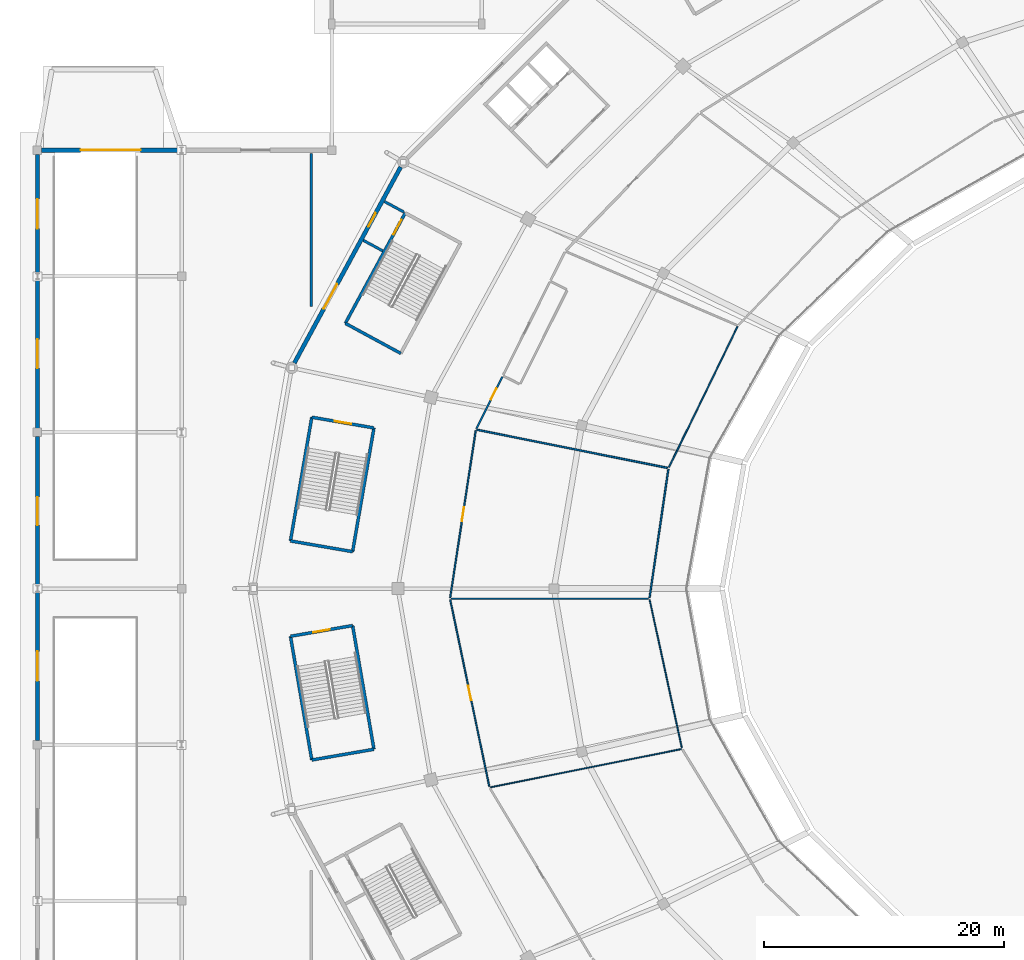
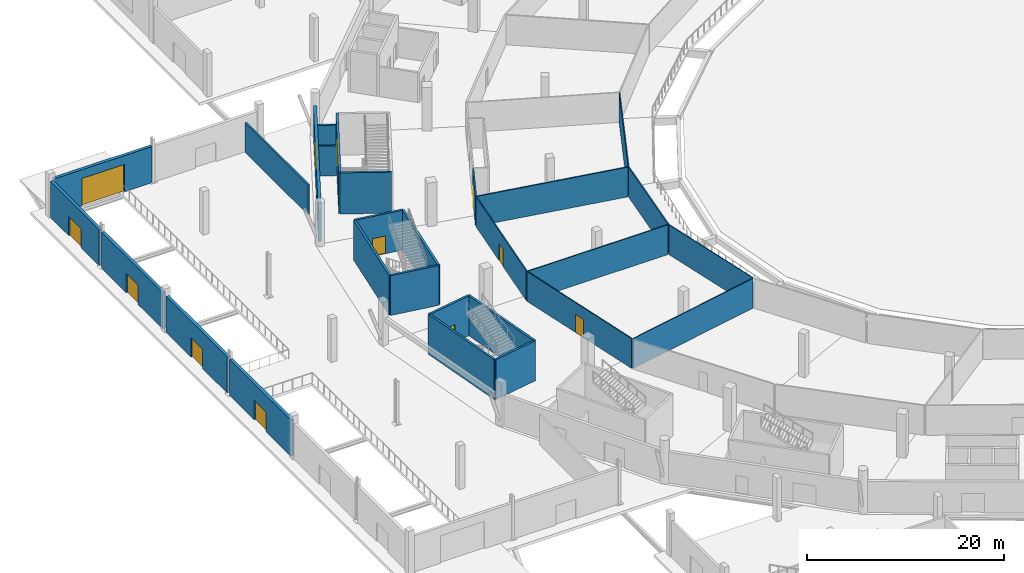
# One storey, part 40 of 82: 28 walls, 13 doors, 13 openings.
"""IFC4 building model written with IfcOpenShell, lengths in metres."""

from ifc_helpers import new_model, si_unit, direction, frame, frame_2d, origin, place, context, subcontext, project, spatial, rectangle, extrude, material, layer, layer_set, type_object, element, fill, save


model = new_model("IFC4")

# Units and contexts
model_context = context("Model", 3, precision=1e-05, world=origin(), true_north=direction((0.0, 1.0)))
body_context = subcontext(model_context, "Body", "Model", "MODEL_VIEW")
ifc_project = project(units=[si_unit("LENGTHUNIT", "METRE"), si_unit("AREAUNIT", "SQUARE_METRE"), si_unit("VOLUMEUNIT", "CUBIC_METRE"), si_unit("PLANEANGLEUNIT", "RADIAN"), si_unit("MASSUNIT", "GRAM", prefix="KILO")], contexts=[model_context])

# Site, building, storey
site_placement = place(None, origin())
site = spatial("IfcSite", under=ifc_project, at=site_placement, CompositionType="ELEMENT")
building_placement = place(site_placement, origin())
building = spatial("IfcBuilding", under=site, at=building_placement, Name="Zlatoyarsky Gate Stadium", CompositionType="ELEMENT")
storey_placement = place(building_placement, origin())
storey = spatial("IfcBuildingStorey", under=building, at=storey_placement, Name="L00", CompositionType="ELEMENT", Elevation=0.0)

# Wall, opening, door
ifc_material_1 = material(Name="Anodised aluminium acoustic operable wall", Category="aluminium")
ifc_layer_1 = layer(ifc_material_1, 0.114990234375)
ifc_layer_set_1 = layer_set([ifc_layer_1], Name="Anodised aluminium acoustic operable wall")
wall_type_1 = type_object("IfcWallType", Name="ACOUSTIC OPERABLE SUITE WALL 115", PredefinedType="MOVABLE", material=ifc_layer_set_1)
wall_1_placement = place(storey_placement, frame((34.36279296875, 79.079345703125, 0.0), z_axis=(0.0, 0.0, 1.0), x_axis=(0.204702237008, -0.978824291772, 0.0)))
wall_1 = element("IfcWall", 1, at=wall_1_placement, inside=storey, type_object=wall_type_1, Name="L00 interior partition PRT-L00-ICC-12", PredefinedType="MOVABLE", context=body_context, shape_type="SweptSolid", body=[
    extrude(rectangle(XDim=15.887451171875, YDim=0.114990234375, at=frame_2d((7.94384765625, 0.0))), origin(), (0.0, 0.0, 1.0), 3.68994140625),
])
opening_1_placement = place(wall_1_placement, frame((7.32373046875, 0.0, 0.0)))
opening_1 = element("IfcOpeningElement", 2, at=opening_1_placement, cuts=wall_1, Name="Opening D-L00-148", PredefinedType="OPENING", context=body_context, shape_type="SweptSolid", body=[
    extrude(rectangle(XDim=1.239990234375, YDim=2.239990234375, at=frame_2d((0.6201171875, 1.1201171875))), frame((0.0, 0.0673828125, 0.0), z_axis=(0.0, -1.0, 0.0), x_axis=(1.0, 0.0, 0.0)), (0.0, 0.0, 1.0), 0.135009765625),
])
ifc_material_2 = material(Name="Solid-core oak veneer acoustic door", Category="wood")
door_type_1 = type_object("IfcDoorType", Name="ACOUSTIC INTERIOR DOOR 1240X2240", OperationType="NOTDEFINED", PredefinedType="DOOR", material=ifc_material_2)
door_1_placement = place(opening_1_placement, origin())
door_1 = element("IfcDoor", 3, at=door_1_placement, inside=storey, type_object=door_type_1, Name="L00 room door D-L00-148", OperationType="SINGLE_SWING_LEFT", OverallHeight=2.239990234375, OverallWidth=1.239990234375, PredefinedType="DOOR", context=body_context, shape_type="SweptSolid", body=[
    extrude(rectangle(XDim=1.239990234375, YDim=2.239990234375, at=frame_2d((0.6201171875, 1.1201171875))), frame((0.0, 0.02490234375, 0.0), z_axis=(0.0, -1.0, 0.0), x_axis=(1.0, 0.0, 0.0)), (0.0, 0.0, 1.0), 0.050048828125),
])
fill(opening_1, door_1)

# Walls
ifc_material_3 = material(Name="Moisture-resistant masonry partition", Category="masonry")
ifc_layer_2 = layer(ifc_material_3, 0.139892578125)
ifc_layer_set_2 = layer_set([ifc_layer_2], Name="Moisture-resistant masonry partition")
wall_type_2 = type_object("IfcWallType", Name="ATHLETE CHANGING BLOCK PARTITION 140", PredefinedType="PARTITIONING", material=ifc_layer_set_2)
wall_2_placement = place(storey_placement, frame((52.452392578125, 90.047607421875, 0.0), z_axis=(0.0, 0.0, 1.0), x_axis=(-0.980551073479, 0.196264088155, 0.0)))
element("IfcWall", 4, at=wall_2_placement, inside=storey, type_object=wall_type_2, Name="L00 interior partition PRT-L00-IRD-11", PredefinedType="PARTITIONING", context=body_context, shape_type="SweptSolid", body=[
    extrude(rectangle(XDim=16.18359375, YDim=0.139892578125, at=frame_2d((8.091796875, 0.0))), origin(), (0.0, 0.0, 1.0), 3.68994140625),
])
ifc_material_4 = material(Name="Gypsum-clad mineral wool fire partition", Category="gypsum")
ifc_layer_3 = layer(ifc_material_4, 0.199951171875)
ifc_layer_set_3 = layer_set([ifc_layer_3], Name="Gypsum-clad mineral wool fire partition")
wall_type_3 = type_object("IfcWallType", Name="COMPARTMENT FIRE PARTITION WALL 200", PredefinedType="PARTITIONING", material=ifc_layer_set_3)
wall_3_placement = place(storey_placement, frame((22.800048828125, 103.485107421875, 0.0), z_axis=(0.0, 0.0, 1.0), x_axis=(0.0, 1.0, 0.0)))
element("IfcWall", 5, at=wall_3_placement, inside=storey, type_object=wall_type_3, Name="L00 interior partition PRT-L00-ALC-NW-X", PredefinedType="PARTITIONING", context=body_context, shape_type="SweptSolid", body=[
    extrude(rectangle(XDim=12.75, YDim=0.199951171875, at=frame_2d((6.375, 0.0))), origin(), (0.0, 0.0, 1.0), 3.68994140625),
])

# Wall, opening, door
ifc_material_5 = material(Name="Metal-stud gypsum partition", Category="gypsum")
ifc_layer_4 = layer(ifc_material_5, 0.14990234375)
ifc_layer_set_4 = layer_set([ifc_layer_4], Name="Metal-stud gypsum partition")
wall_type_4 = type_object("IfcWallType", Name="CONCOURSE CORRIDOR PARTITION 150", PredefinedType="PARTITIONING", material=ifc_layer_set_4)
wall_4_placement = place(storey_placement, frame((38.705078125, 97.64306640625, 0.0), z_axis=(0.0, 0.0, 1.0), x_axis=(-0.447798791691, -0.894134353528, 0.0)))
wall_4 = element("IfcWall", 6, at=wall_4_placement, inside=storey, type_object=wall_type_4, Name="L00 interior partition PRT-L00-ICC-10", PredefinedType="PARTITIONING", context=body_context, shape_type="SweptSolid", body=[
    extrude(rectangle(XDim=4.838623046875, YDim=0.14990234375, at=frame_2d((2.41943359375, 0.0))), origin(), (0.0, 0.0, 1.0), 3.68994140625),
])
opening_2_placement = place(wall_4_placement, frame((1.10009765625, 0.0, 0.0)))
opening_2 = element("IfcOpeningElement", 7, at=opening_2_placement, cuts=wall_4, Name="Opening D-L00-142", PredefinedType="OPENING", context=body_context, shape_type="SweptSolid", body=[
    extrude(rectangle(XDim=1.02001953125, YDim=2.239990234375, at=frame_2d((0.510009765625, 1.1201171875))), frame((0.0, 0.0849609375, 0.0), z_axis=(0.0, -1.0, 0.0), x_axis=(1.0, 0.0, 0.0)), (0.0, 0.0, 1.0), 0.169921875),
])
ifc_material_6 = material(Name="Powder-coated steel fire door", Category="steel")
door_type_2 = type_object("IfcDoorType", Name="ACOUSTIC INTERIOR DOOR 1020X2240", OperationType="NOTDEFINED", PredefinedType="DOOR", material=ifc_material_6)
door_2_placement = place(opening_2_placement, origin())
door_2 = element("IfcDoor", 8, at=door_2_placement, inside=storey, type_object=door_type_2, Name="L00 room door D-L00-142", OperationType="SINGLE_SWING_LEFT", OverallHeight=2.239990234375, OverallWidth=1.02001953125, PredefinedType="DOOR", context=body_context, shape_type="SweptSolid", body=[
    extrude(rectangle(XDim=1.02001953125, YDim=2.239990234375, at=frame_2d((0.510009765625, 1.1201171875))), frame((0.0, 0.02490234375, 0.0), z_axis=(0.0, -1.0, 0.0), x_axis=(1.0, 0.0, 0.0)), (0.0, 0.0, 1.0), 0.050048828125),
])
fill(opening_2, door_2)

ifc_material_7 = material(Name="Concrete C40/50", Category="concrete")
ifc_layer_5 = layer(ifc_material_7, 0.25)
ifc_layer_set_5 = layer_set([ifc_layer_5], Name="Concrete C40/50")
wall_type_5 = type_object("IfcWallType", Name="CONCRETE STAIR CORE SHEAR WALL 250", PredefinedType="SHEAR", material=ifc_layer_set_5)
wall_5_placement = place(storey_placement, frame((30.615234375, 111.268798828125, 0.0), z_axis=(0.0, 0.0, 1.0), x_axis=(-0.476876856974, -0.878970115125, 0.0)))
wall_5 = element("IfcWall", 9, at=wall_5_placement, inside=storey, type_object=wall_type_5, Name="ST-06 L00 stair core left shear wall", PredefinedType="SHEAR", context=body_context, shape_type="SweptSolid", body=[
    extrude(rectangle(XDim=10.4501953125, YDim=0.25, at=frame_2d((5.22509765625, 0.0))), origin(), (0.0, 0.0, 1.0), 5.10009765625),
])
opening_3_placement = place(wall_5_placement, frame((0.64990234375, 0.0, 0.0)))
opening_3 = element("IfcOpeningElement", 10, at=opening_3_placement, cuts=wall_5, Name="Opening SD-ST-06-L00", PredefinedType="OPENING", context=body_context, shape_type="SweptSolid", body=[
    extrude(rectangle(XDim=1.39990234375, YDim=2.199951171875, at=frame_2d((0.699951171875, 1.10009765625))), frame((0.0, 0.135009765625, 0.0), z_axis=(0.0, -1.0, 0.0), x_axis=(1.0, 0.0, 0.0)), (0.0, 0.0, 1.0), 0.27001953125),
])
door_type_3 = type_object("IfcDoorType", Name="STAIR CORE FIRE EXIT DOOR 1400X2200", OperationType="NOTDEFINED", PredefinedType="DOOR", material=ifc_material_6)
door_3_placement = place(opening_3_placement, frame((1.39990234375, 0.0, 0.0), z_axis=(0.0, 0.0, 1.0), x_axis=(-1.0, 0.0, 0.0)))
door_3 = element("IfcDoor", 11, at=door_3_placement, inside=storey, type_object=door_type_3, Name="ST-06 L00 protected exit discharge fire door", OperationType="SINGLE_SWING_LEFT", OverallHeight=2.199951171875, OverallWidth=1.39990234375, PredefinedType="DOOR", context=body_context, shape_type="SweptSolid", body=[
    extrude(rectangle(XDim=1.39990234375, YDim=2.199951171875, at=frame_2d((0.699951171875, 1.10009765625))), frame((0.0, 0.02490234375, 0.0), z_axis=(0.0, -1.0, 0.0), x_axis=(1.0, 0.0, 0.0)), (0.0, 0.0, 1.0), 0.050048828125),
])
fill(opening_3, door_3)

# Wall
wall_6_placement = place(storey_placement, frame((25.6318359375, 102.08349609375, 0.0), z_axis=(0.0, 0.0, 1.0), x_axis=(0.878961487093, -0.47689275965, 0.0)))
element("IfcWall", 12, at=wall_6_placement, inside=storey, type_object=wall_type_5, Name="ST-06 L00 stair core far shear wall", PredefinedType="SHEAR", context=body_context, shape_type="SweptSolid", body=[
    extrude(rectangle(XDim=5.25, YDim=0.25, at=frame_2d((2.625, 0.0))), origin(), (0.0, 0.0, 1.0), 5.10009765625),
])

# Wall, opening, door
wall_7_placement = place(storey_placement, frame((26.237548828125, 76.92333984375, 0.0), z_axis=(0.0, 0.0, 1.0), x_axis=(-0.985457162135, -0.16992404655, 0.0)))
wall_7 = element("IfcWall", 13, at=wall_7_placement, inside=storey, type_object=wall_type_5, Name="ST-07 L00 stair core entrance shear wall", PredefinedType="SHEAR", context=body_context, shape_type="SweptSolid", body=[
    extrude(rectangle(XDim=5.25, YDim=0.25, at=frame_2d((2.625, 0.0))), origin(), (0.0, 0.0, 1.0), 4.93994140625),
])
opening_4_placement = place(wall_7_placement, frame((1.925048828125, 0.0, 0.0)))
opening_4 = element("IfcOpeningElement", 14, at=opening_4_placement, cuts=wall_7, Name="Opening SD-ST-07-L00", PredefinedType="OPENING", context=body_context, shape_type="SweptSolid", body=[
    extrude(rectangle(XDim=1.39990234375, YDim=2.199951171875, at=frame_2d((0.699951171875, 1.10009765625))), frame((0.0, 0.135009765625, 0.0), z_axis=(0.0, -1.0, 0.0), x_axis=(1.0, 0.0, 0.0)), (0.0, 0.0, 1.0), 0.27001953125),
])
door_4_placement = place(opening_4_placement, frame((1.39990234375, 0.0, 0.0), z_axis=(0.0, 0.0, 1.0), x_axis=(-1.0, 0.0, 0.0)))
door_4 = element("IfcDoor", 15, at=door_4_placement, inside=storey, type_object=door_type_3, Name="ST-07 L00 stair fire door", OperationType="SINGLE_SWING_RIGHT", OverallHeight=2.199951171875, OverallWidth=1.39990234375, PredefinedType="DOOR", context=body_context, shape_type="SweptSolid", body=[
    extrude(rectangle(XDim=1.39990234375, YDim=2.199951171875, at=frame_2d((0.699951171875, 1.10009765625))), frame((0.0, 0.02490234375, 0.0), z_axis=(0.0, -1.0, 0.0), x_axis=(1.0, 0.0, 0.0)), (0.0, 0.0, 1.0), 0.050048828125),
])
fill(opening_4, door_4)

# Walls
wall_8_placement = place(storey_placement, frame((21.06396484375, 76.03125, 0.0), z_axis=(0.0, 0.0, 1.0), x_axis=(0.169938992676, -0.985454584833, 0.0)))
element("IfcWall", 16, at=wall_8_placement, inside=storey, type_object=wall_type_5, Name="ST-07 L00 stair core left shear wall", PredefinedType="SHEAR", context=body_context, shape_type="SweptSolid", body=[
    extrude(rectangle(XDim=10.4501953125, YDim=0.25, at=frame_2d((5.22509765625, 0.0))), origin(), (0.0, 0.0, 1.0), 4.93994140625),
])
wall_9_placement = place(storey_placement, frame((22.83984375, 65.733154296875, 0.0), z_axis=(0.0, 0.0, 1.0), x_axis=(0.985457162135, 0.16992404655, 0.0)))
element("IfcWall", 17, at=wall_9_placement, inside=storey, type_object=wall_type_5, Name="ST-07 L00 stair core far shear wall", PredefinedType="SHEAR", context=body_context, shape_type="SweptSolid", body=[
    extrude(rectangle(XDim=5.25, YDim=0.25, at=frame_2d((2.625, 0.0))), origin(), (0.0, 0.0, 1.0), 4.93994140625),
])
wall_10_placement = place(storey_placement, frame((28.013427734375, 66.625244140625, 0.0), z_axis=(0.0, 0.0, 1.0), x_axis=(-0.169938992676, 0.985454584833, 0.0)))
element("IfcWall", 18, at=wall_10_placement, inside=storey, type_object=wall_type_5, Name="ST-07 L00 stair core right shear wall", PredefinedType="SHEAR", context=body_context, shape_type="SweptSolid", body=[
    extrude(rectangle(XDim=10.4501953125, YDim=0.25, at=frame_2d((5.22509765625, 0.0))), origin(), (0.0, 0.0, 1.0), 4.93994140625),
])

# Wall, opening, door
wall_11_placement = place(storey_placement, frame((28.01318359375, 93.374755859375, 0.0), z_axis=(0.0, 0.0, 1.0), x_axis=(-0.985457162135, 0.16992404655, 0.0)))
wall_11 = element("IfcWall", 19, at=wall_11_placement, inside=storey, type_object=wall_type_5, Name="ST-18 L00 stair core entrance shear wall", PredefinedType="SHEAR", context=body_context, shape_type="SweptSolid", body=[
    extrude(rectangle(XDim=5.25, YDim=0.25, at=frame_2d((2.625, 0.0))), origin(), (0.0, 0.0, 1.0), 4.93994140625),
])
opening_5_placement = place(wall_11_placement, frame((1.925048828125, 0.0, 0.0)))
opening_5 = element("IfcOpeningElement", 20, at=opening_5_placement, cuts=wall_11, Name="Opening SD-ST-18-L00", PredefinedType="OPENING", context=body_context, shape_type="SweptSolid", body=[
    extrude(rectangle(XDim=1.39990234375, YDim=2.199951171875, at=frame_2d((0.699951171875, 1.10009765625))), frame((0.0, 0.135009765625, 0.0), z_axis=(0.0, -1.0, 0.0), x_axis=(1.0, 0.0, 0.0)), (0.0, 0.0, 1.0), 0.27001953125),
])
door_5_placement = place(opening_5_placement, frame((1.39990234375, 0.0, 0.0), z_axis=(0.0, 0.0, 1.0), x_axis=(-1.0, 0.0, 0.0)))
door_5 = element("IfcDoor", 21, at=door_5_placement, inside=storey, type_object=door_type_3, Name="ST-18 L00 stair fire door", OperationType="SINGLE_SWING_RIGHT", OverallHeight=2.199951171875, OverallWidth=1.39990234375, PredefinedType="DOOR", context=body_context, shape_type="SweptSolid", body=[
    extrude(rectangle(XDim=1.39990234375, YDim=2.199951171875, at=frame_2d((0.699951171875, 1.10009765625))), frame((0.0, 0.02490234375, 0.0), z_axis=(0.0, -1.0, 0.0), x_axis=(1.0, 0.0, 0.0)), (0.0, 0.0, 1.0), 0.050048828125),
])
fill(opening_5, door_5)

# Walls
wall_12_placement = place(storey_placement, frame((22.839599609375, 94.266845703125, 0.0), z_axis=(0.0, 0.0, 1.0), x_axis=(-0.169938992676, -0.985454584833, 0.0)))
element("IfcWall", 22, at=wall_12_placement, inside=storey, type_object=wall_type_5, Name="ST-18 L00 stair core left shear wall", PredefinedType="SHEAR", context=body_context, shape_type="SweptSolid", body=[
    extrude(rectangle(XDim=10.4501953125, YDim=0.25, at=frame_2d((5.22509765625, 0.0))), origin(), (0.0, 0.0, 1.0), 4.93994140625),
])
wall_13_placement = place(storey_placement, frame((21.063720703125, 83.96875, 0.0), z_axis=(0.0, 0.0, 1.0), x_axis=(0.985458504796, -0.169916259745, 0.0)))
element("IfcWall", 23, at=wall_13_placement, inside=storey, type_object=wall_type_5, Name="ST-18 L00 stair core far shear wall", PredefinedType="SHEAR", context=body_context, shape_type="SweptSolid", body=[
    extrude(rectangle(XDim=5.250244140625, YDim=0.25, at=frame_2d((2.625, 0.0))), origin(), (0.0, 0.0, 1.0), 4.93994140625),
])
wall_14_placement = place(storey_placement, frame((26.237548828125, 83.07666015625, 0.0), z_axis=(0.0, 0.0, 1.0), x_axis=(0.16991630471, 0.985458497043, 0.0)))
element("IfcWall", 24, at=wall_14_placement, inside=storey, type_object=wall_type_5, Name="ST-18 L00 stair core right shear wall", PredefinedType="SHEAR", context=body_context, shape_type="SweptSolid", body=[
    extrude(rectangle(XDim=10.449951171875, YDim=0.25, at=frame_2d((5.22509765625, 0.0))), origin(), (0.0, 0.0, 1.0), 4.93994140625),
])
ifc_material_8 = material(Name="Autoclaved aerated concrete masonry EI 120", Category="masonry")
ifc_layer_6 = layer(ifc_material_8, 0.219970703125)
ifc_layer_set_6 = layer_set([ifc_layer_6], Name="Autoclaved aerated concrete masonry EI 120")
wall_type_6 = type_object("IfcWallType", Name="FIREFIGHTING LOBBY RATED WALL 220", PredefinedType="PARTITIONING", material=ifc_layer_set_6)
wall_15_placement = place(storey_placement, frame((30.503662109375, 111.34619140625, 0.0), z_axis=(0.0, 0.0, 1.0), x_axis=(-0.878928142612, 0.476954211769, 0.0)))
element("IfcWall", 25, at=wall_15_placement, inside=storey, type_object=wall_type_6, Name="ST-06 L00 protected exit lobby EI 120 wall 1", PredefinedType="PARTITIONING", context=body_context, shape_type="SweptSolid", body=[
    extrude(rectangle(XDim=1.839599609375, YDim=0.219970703125, at=frame_2d((0.919921875, 0.0))), origin(), (0.0, 0.0, 1.0), 3.68994140625),
])
wall_16_placement = place(storey_placement, frame((28.748779296875, 108.111572265625, 0.0), z_axis=(0.0, 0.0, 1.0), x_axis=(-0.878958326558, 0.47689858479, 0.0)))
element("IfcWall", 26, at=wall_16_placement, inside=storey, type_object=wall_type_6, Name="ST-06 L00 protected exit lobby EI 120 wall 2", PredefinedType="PARTITIONING", context=body_context, shape_type="SweptSolid", body=[
    extrude(rectangle(XDim=1.83984375, YDim=0.219970703125, at=frame_2d((0.919921875, 0.0))), origin(), (0.0, 0.0, 1.0), 3.68994140625),
])
ifc_material_9 = material(Name="Timber-veneered acoustic operable partition", Category="wood")
ifc_layer_7 = layer(ifc_material_9, 0.094970703125)
ifc_layer_set_7 = layer_set([ifc_layer_7], Name="Timber-veneered acoustic operable partition")
wall_type_7 = type_object("IfcWallType", Name="FOLDING BANQUET SALON WALL 95", PredefinedType="MOVABLE", material=ifc_layer_set_7)
wall_17_placement = place(storey_placement, frame((53.580810546875, 66.63623046875, 0.0), z_axis=(0.0, 0.0, 1.0), x_axis=(-0.980562680484, -0.196206089719, 0.0)))
element("IfcWall", 27, at=wall_17_placement, inside=storey, type_object=wall_type_7, Name="L00 interior partition PRT-L00-IRD-13", PredefinedType="MOVABLE", context=body_context, shape_type="SweptSolid", body=[
    extrude(rectangle(XDim=16.1796875, YDim=0.094970703125, at=frame_2d((8.08984375, 0.0))), origin(), (0.0, 0.0, 1.0), 3.68994140625),
])
ifc_layer_8 = layer(ifc_material_5, 0.110107421875)
ifc_layer_set_8 = layer_set([ifc_layer_8], Name="Metal-stud gypsum partition")
wall_type_8 = type_object("IfcWallType", Name="KIOSK SERVICE PARTITION 110", PredefinedType="PARTITIONING", material=ifc_layer_set_8)
wall_18_placement = place(storey_placement, frame((58.2783203125, 101.813720703125, 0.0), z_axis=(0.0, 0.0, 1.0), x_axis=(-0.438109276783, -0.898921721618, 0.0)))
element("IfcWall", 28, at=wall_18_placement, inside=storey, type_object=wall_type_8, Name="L00 interior partition PRT-L00-IRN-10", PredefinedType="PARTITIONING", context=body_context, shape_type="SweptSolid", body=[
    extrude(rectangle(XDim=13.022705078125, YDim=0.110107421875, at=frame_2d((6.51123046875, 0.0))), origin(), (0.0, 0.0, 1.0), 3.68994140625),
])
wall_19_placement = place(storey_placement, frame((50.85986328125, 79.162353515625, 0.0), z_axis=(0.0, 0.0, 1.0), x_axis=(-0.99999999989, 1.4859945e-05, 0.0)))
element("IfcWall", 29, at=wall_19_placement, inside=storey, type_object=wall_type_8, Name="L00 interior partition PRT-L00-IRD-12", PredefinedType="PARTITIONING", context=body_context, shape_type="SweptSolid", body=[
    extrude(rectangle(XDim=16.429443359375, YDim=0.110107421875, at=frame_2d((8.21484375, 0.0))), origin(), (0.0, 0.0, 1.0), 3.68994140625),
])
ifc_layer_9 = layer(ifc_material_5, 0.10009765625)
ifc_layer_set_9 = layer_set([ifc_layer_9], Name="Metal-stud gypsum partition")
wall_type_9 = type_object("IfcWallType", Name="LIGHT STORAGE PARTITION 100", PredefinedType="PARTITIONING", material=ifc_layer_set_9)
wall_20_placement = place(storey_placement, frame((50.962890625, 79.079345703125, 0.0), z_axis=(0.0, 0.0, 1.0), x_axis=(0.212413595867, -0.977179852581, 0.0)))
element("IfcWall", 30, at=wall_20_placement, inside=storey, type_object=wall_type_9, Name="L00 interior partition PRT-L00-IRN-12", PredefinedType="PARTITIONING", context=body_context, shape_type="SweptSolid", body=[
    extrude(rectangle(XDim=12.631591796875, YDim=0.10009765625, at=frame_2d((6.31591796875, 0.0))), origin(), (0.0, 0.0, 1.0), 3.68994140625),
])

# Wall, opening, door
ifc_material_10 = material(Name="Limestone-faced insulated masonry wall", Category="masonry")
ifc_layer_10 = layer(ifc_material_10, 0.360107421875)
ifc_layer_set_10 = layer_set([ifc_layer_10], Name="Limestone-faced insulated masonry wall")
wall_type_10 = type_object("IfcWallType", Name="LIMESTONE CLAD CAVITY WALL 360", PredefinedType="STANDARD", material=ifc_layer_set_10)
wall_21_placement = place(storey_placement, frame((0.0, 67.346923828125, 0.0), z_axis=(0.0, 0.0, 1.0), x_axis=(0.0, 1.0, 0.0)))
wall_21 = element("IfcWall", 31, at=wall_21_placement, inside=storey, type_object=wall_type_10, Name="V4_WEST L00 W_LO exterior wall", PredefinedType="STANDARD", context=body_context, shape_type="SweptSolid", body=[
    extrude(rectangle(XDim=12.406005859375, YDim=0.360107421875, at=frame_2d((6.203125, 0.0))), origin(), (0.0, 0.0, 1.0), 4.47998046875),
])
opening_6_placement = place(wall_21_placement, frame((4.97802734375, 0.0, 0.0)))
opening_6 = element("IfcOpeningElement", 32, at=opening_6_placement, cuts=wall_21, Name="Opening G23", PredefinedType="OPENING", context=body_context, shape_type="SweptSolid", body=[
    extrude(rectangle(XDim=2.449951171875, YDim=2.39990234375, at=frame_2d((1.22509765625, 1.199951171875))), frame((0.0, 0.18994140625, 0.0), z_axis=(0.0, -1.0, 0.0), x_axis=(1.0, 0.0, 0.0)), (0.0, 0.0, 1.0), 0.380126953125),
])
ifc_material_11 = material(Name="Thermally broken powder-coated steel and laminated safety glass", Category="steel")
door_type_4 = type_object("IfcDoorType", Name="PEDESTRIAN FINAL EXIT DOUBLE DOOR 2450X2400", OperationType="DOUBLE_DOOR_SINGLE_SWING", PredefinedType="DOOR", material=ifc_material_11)
door_6_placement = place(opening_6_placement, origin())
door_6 = element("IfcDoor", 33, at=door_6_placement, inside=storey, type_object=door_type_4, Name="Exterior door G23", OperationType="DOUBLE_DOOR_SINGLE_SWING", OverallHeight=2.39990234375, OverallWidth=2.449951171875, PredefinedType="DOOR", context=body_context, shape_type="SweptSolid", body=[
    extrude(rectangle(XDim=2.449951171875, YDim=2.39990234375, at=frame_2d((1.22509765625, 1.199951171875))), frame((0.0, 0.02490234375, 0.0), z_axis=(0.0, -1.0, 0.0), x_axis=(1.0, 0.0, 0.0)), (0.0, 0.0, 1.0), 0.050048828125),
])
fill(opening_6, door_6)

wall_22_placement = place(storey_placement, frame((0.0, 80.2470703125, 0.0), z_axis=(0.0, 0.0, 1.0), x_axis=(0.0, 1.0, 0.0)))
wall_22 = element("IfcWall", 34, at=wall_22_placement, inside=storey, type_object=wall_type_10, Name="V4_WEST L00 W_LO exterior wall", PredefinedType="STANDARD", context=body_context, shape_type="SweptSolid", body=[
    extrude(rectangle(XDim=12.406005859375, YDim=0.360107421875, at=frame_2d((6.203125, 0.0))), origin(), (0.0, 0.0, 1.0), 4.47998046875),
])
opening_7_placement = place(wall_22_placement, frame((5.028076171875, 0.0, 0.0)))
opening_7 = element("IfcOpeningElement", 35, at=opening_7_placement, cuts=wall_22, Name="Opening G24", PredefinedType="OPENING", context=body_context, shape_type="SweptSolid", body=[
    extrude(rectangle(XDim=2.35009765625, YDim=2.39990234375, at=frame_2d((1.175048828125, 1.199951171875))), frame((0.0, 0.18994140625, 0.0), z_axis=(0.0, -1.0, 0.0), x_axis=(1.0, 0.0, 0.0)), (0.0, 0.0, 1.0), 0.380126953125),
])
door_type_5 = type_object("IfcDoorType", Name="PEDESTRIAN FINAL EXIT DOUBLE DOOR 2350X2400", OperationType="DOUBLE_DOOR_SINGLE_SWING", PredefinedType="DOOR", material=ifc_material_11)
door_7_placement = place(opening_7_placement, origin())
door_7 = element("IfcDoor", 36, at=door_7_placement, inside=storey, type_object=door_type_5, Name="Exterior door G24", OperationType="DOUBLE_DOOR_SINGLE_SWING", OverallHeight=2.39990234375, OverallWidth=2.35009765625, PredefinedType="DOOR", context=body_context, shape_type="SweptSolid", body=[
    extrude(rectangle(XDim=2.35009765625, YDim=2.39990234375, at=frame_2d((1.175048828125, 1.199951171875))), frame((0.0, 0.02490234375, 0.0), z_axis=(0.0, -1.0, 0.0), x_axis=(1.0, 0.0, 0.0)), (0.0, 0.0, 1.0), 0.050048828125),
])
fill(opening_7, door_7)

wall_23_placement = place(storey_placement, frame((0.0, 93.346923828125, 0.0), z_axis=(0.0, 0.0, 1.0), x_axis=(0.0, 1.0, 0.0)))
wall_23 = element("IfcWall", 37, at=wall_23_placement, inside=storey, type_object=wall_type_10, Name="V4_WEST L00 W_LO exterior wall", PredefinedType="STANDARD", context=body_context, shape_type="SweptSolid", body=[
    extrude(rectangle(XDim=12.406005859375, YDim=0.360107421875, at=frame_2d((6.203125, 0.0))), origin(), (0.0, 0.0, 1.0), 4.47998046875),
])
opening_8_placement = place(wall_23_placement, frame((5.0029296875, 0.0, 0.0)))
opening_8 = element("IfcOpeningElement", 38, at=opening_8_placement, cuts=wall_23, Name="Opening G25", PredefinedType="OPENING", context=body_context, shape_type="SweptSolid", body=[
    extrude(rectangle(XDim=2.39990234375, YDim=2.39990234375, at=frame_2d((1.199951171875, 1.199951171875))), frame((0.0, 0.18994140625, 0.0), z_axis=(0.0, -1.0, 0.0), x_axis=(1.0, 0.0, 0.0)), (0.0, 0.0, 1.0), 0.380126953125),
])
door_type_6 = type_object("IfcDoorType", Name="PEDESTRIAN FINAL EXIT DOUBLE DOOR 2400X2400", OperationType="DOUBLE_DOOR_SINGLE_SWING", PredefinedType="DOOR", material=ifc_material_11)
door_8_placement = place(opening_8_placement, origin())
door_8 = element("IfcDoor", 39, at=door_8_placement, inside=storey, type_object=door_type_6, Name="Exterior door G25", OperationType="DOUBLE_DOOR_SINGLE_SWING", OverallHeight=2.39990234375, OverallWidth=2.39990234375, PredefinedType="DOOR", context=body_context, shape_type="SweptSolid", body=[
    extrude(rectangle(XDim=2.39990234375, YDim=2.39990234375, at=frame_2d((1.199951171875, 1.199951171875))), frame((0.0, 0.02490234375, 0.0), z_axis=(0.0, -1.0, 0.0), x_axis=(1.0, 0.0, 0.0)), (0.0, 0.0, 1.0), 0.050048828125),
])
fill(opening_8, door_8)

wall_24_placement = place(storey_placement, frame((0.0, 106.2470703125, 0.0), z_axis=(0.0, 0.0, 1.0), x_axis=(0.0, 1.0, 0.0)))
wall_24 = element("IfcWall", 40, at=wall_24_placement, inside=storey, type_object=wall_type_10, Name="V4_WEST L00 W_LO exterior wall", PredefinedType="STANDARD", context=body_context, shape_type="SweptSolid", body=[
    extrude(rectangle(XDim=9.906005859375, YDim=0.360107421875, at=frame_2d((4.953125, 0.0))), origin(), (0.0, 0.0, 1.0), 4.47998046875),
])
opening_9_placement = place(wall_24_placement, frame((3.72802734375, 0.0, 0.0)))
opening_9 = element("IfcOpeningElement", 41, at=opening_9_placement, cuts=wall_24, Name="Opening G26", PredefinedType="OPENING", context=body_context, shape_type="SweptSolid", body=[
    extrude(rectangle(XDim=2.449951171875, YDim=2.39990234375, at=frame_2d((1.22509765625, 1.199951171875))), frame((0.0, 0.18994140625, 0.0), z_axis=(0.0, -1.0, 0.0), x_axis=(1.0, 0.0, 0.0)), (0.0, 0.0, 1.0), 0.380126953125),
])
door_9_placement = place(opening_9_placement, origin())
door_9 = element("IfcDoor", 42, at=door_9_placement, inside=storey, type_object=door_type_4, Name="Exterior door G26", OperationType="DOUBLE_DOOR_SINGLE_SWING", OverallHeight=2.39990234375, OverallWidth=2.449951171875, PredefinedType="DOOR", context=body_context, shape_type="SweptSolid", body=[
    extrude(rectangle(XDim=2.449951171875, YDim=2.39990234375, at=frame_2d((1.22509765625, 1.199951171875))), frame((0.0, 0.02490234375, 0.0), z_axis=(0.0, -1.0, 0.0), x_axis=(1.0, 0.0, 0.0)), (0.0, 0.0, 1.0), 0.050048828125),
])
fill(opening_9, door_9)

wall_25_placement = place(storey_placement, frame((0.346923828125, 116.5, 0.0), z_axis=(0.0, 0.0, 1.0), x_axis=(1.0, 0.0, 0.0)))
wall_25 = element("IfcWall", 43, at=wall_25_placement, inside=storey, type_object=wall_type_10, Name="V4_WEST L00 N exterior wall", PredefinedType="STANDARD", context=body_context, shape_type="SweptSolid", body=[
    extrude(rectangle(XDim=11.506103515625, YDim=0.360107421875, at=frame_2d((5.7529296875, 0.0))), origin(), (0.0, 0.0, 1.0), 4.47998046875),
])
opening_10_placement = place(wall_25_placement, frame((3.2529296875, 0.0, 0.0)))
opening_10 = element("IfcOpeningElement", 44, at=opening_10_placement, cuts=wall_25, Name="Opening VG-02", PredefinedType="OPENING", context=body_context, shape_type="SweptSolid", body=[
    extrude(rectangle(XDim=5.0, YDim=3.39990234375, at=frame_2d((2.5, 1.699951171875))), frame((0.0, 0.18994140625, 0.0), z_axis=(0.0, -1.0, 0.0), x_axis=(1.0, 0.0, 0.0)), (0.0, 0.0, 1.0), 0.380126953125),
])
door_type_7 = type_object("IfcDoorType", Name="MARSHALLING EXIT ROLLER SHUTTER GATE 5000X3400", OperationType="ROLLINGUP", PredefinedType="GATE", material=ifc_material_11)
door_10_placement = place(opening_10_placement, origin())
door_10 = element("IfcDoor", 45, at=door_10_placement, inside=storey, type_object=door_type_7, Name="Vehicle exit roller shutter gate VG-02", OperationType="ROLLINGUP", OverallHeight=3.39990234375, OverallWidth=5.0, PredefinedType="GATE", context=body_context, shape_type="SweptSolid", body=[
    extrude(rectangle(XDim=5.0, YDim=3.39990234375, at=frame_2d((2.5, 1.699951171875))), frame((0.0, 0.02490234375, 0.0), z_axis=(0.0, -1.0, 0.0), x_axis=(1.0, 0.0, 0.0)), (0.0, 0.0, 1.0), 0.050048828125),
])
fill(opening_10, door_10)

# Wall, openings, doors
ifc_layer_11 = layer(ifc_material_10, 0.340087890625)
ifc_layer_set_11 = layer_set([ifc_layer_11], Name="Limestone-faced insulated masonry wall")
wall_type_11 = type_object("IfcWallType", Name="LIMESTONE GATE PLINTH WALL 340", PredefinedType="STANDARD", material=ifc_layer_set_11)
wall_26_placement = place(storey_placement, frame((30.240234375, 115.095703125, 0.0), z_axis=(0.0, 0.0, 1.0), x_axis=(-0.47689360532, -0.878961028263, 0.0)))
wall_26 = element("IfcWall", 46, at=wall_26_placement, inside=storey, type_object=wall_type_11, Name="L00 bowl exterior plinth wall sector 10", PredefinedType="STANDARD", context=body_context, shape_type="SweptSolid", body=[
    extrude(rectangle(XDim=18.56201171875, YDim=0.340087890625, at=frame_2d((9.281005859375, 0.0))), origin(), (0.0, 0.0, 1.0), 3.85009765625),
])
opening_11_placement = place(wall_26_placement, frame((4.360107421875, 0.0, 0.0)))
opening_11 = element("IfcOpeningElement", 47, at=opening_11_placement, cuts=wall_26, Name="Opening ED-ST06", PredefinedType="OPENING", context=body_context, shape_type="SweptSolid", body=[
    extrude(rectangle(XDim=1.300048828125, YDim=2.199951171875, at=frame_2d((0.64990234375, 1.10009765625))), frame((0.0, 0.179931640625, 0.0), z_axis=(0.0, -1.0, 0.0), x_axis=(1.0, 0.0, 0.0)), (0.0, 0.0, 1.0), 0.360107421875),
])
opening_12_placement = place(wall_26_placement, frame((11.080810546875, 0.0, 0.0)))
opening_12 = element("IfcOpeningElement", 48, at=opening_12_placement, cuts=wall_26, Name="Opening G06", PredefinedType="OPENING", context=body_context, shape_type="SweptSolid", body=[
    extrude(rectangle(XDim=2.35009765625, YDim=2.39990234375, at=frame_2d((1.175048828125, 1.199951171875))), frame((0.0, 0.179931640625, 0.0), z_axis=(0.0, -1.0, 0.0), x_axis=(1.0, 0.0, 0.0)), (0.0, 0.0, 1.0), 0.360107421875),
])
door_11_placement = place(opening_12_placement, frame((2.35009765625, 0.0, 0.0), z_axis=(0.0, 0.0, 1.0), x_axis=(-1.0, 0.0, 0.0)))
door_11 = element("IfcDoor", 49, at=door_11_placement, inside=storey, type_object=door_type_5, Name="Pedestrian exit gate G06", OperationType="DOUBLE_DOOR_SINGLE_SWING", OverallHeight=2.39990234375, OverallWidth=2.35009765625, PredefinedType="DOOR", context=body_context, shape_type="SweptSolid", body=[
    extrude(rectangle(XDim=2.35009765625, YDim=2.39990234375, at=frame_2d((1.175048828125, 1.199951171875))), frame((0.0, 0.02490234375, 0.0), z_axis=(0.0, -1.0, 0.0), x_axis=(1.0, 0.0, 0.0)), (0.0, 0.0, 1.0), 0.050048828125),
])
fill(opening_12, door_11)
door_type_8 = type_object("IfcDoorType", Name="STAIR DISCHARGE FIRE EXIT DOOR 1300X2200", OperationType="NOTDEFINED", PredefinedType="DOOR", material=ifc_material_11)
door_12_placement = place(opening_11_placement, frame((1.300048828125, 0.0, 0.0), z_axis=(0.0, 0.0, 1.0), x_axis=(-1.0, 0.0, 0.0)))
door_12 = element("IfcDoor", 50, at=door_12_placement, inside=storey, type_object=door_type_8, Name="Stair discharge fire exit door ED-ST06", OperationType="SINGLE_SWING_RIGHT", OverallHeight=2.199951171875, OverallWidth=1.300048828125, PredefinedType="DOOR", context=body_context, shape_type="SweptSolid", body=[
    extrude(rectangle(XDim=1.300048828125, YDim=2.199951171875, at=frame_2d((0.64990234375, 1.10009765625))), frame((0.0, 0.02490234375, 0.0), z_axis=(0.0, -1.0, 0.0), x_axis=(1.0, 0.0, 0.0)), (0.0, 0.0, 1.0), 0.050048828125),
])
fill(opening_11, door_12)

# Wall, opening, door
ifc_layer_12 = layer(ifc_material_5, 0.1201171875)
ifc_layer_set_12 = layer_set([ifc_layer_12], Name="Metal-stud gypsum partition")
wall_type_12 = type_object("IfcWallType", Name="OFFICE AND PRESS PARTITION 120", PredefinedType="PARTITIONING", material=ifc_layer_set_12)
wall_27_placement = place(storey_placement, frame((36.4873046875, 93.156494140625, 0.0), z_axis=(0.0, 0.0, 1.0), x_axis=(-0.151287942075, -0.988489736205, 0.0)))
wall_27 = element("IfcWall", 51, at=wall_27_placement, inside=storey, type_object=wall_type_12, Name="L00 interior partition PRT-L00-ICC-11", PredefinedType="PARTITIONING", context=body_context, shape_type="SweptSolid", body=[
    extrude(rectangle(XDim=14.07177734375, YDim=0.1201171875, at=frame_2d((7.035888671875, 0.0))), origin(), (0.0, 0.0, 1.0), 3.68994140625),
])
opening_13_placement = place(wall_27_placement, frame((6.4560546875, 0.0, 0.0)))
opening_13 = element("IfcOpeningElement", 52, at=opening_13_placement, cuts=wall_27, Name="Opening D-L00-145", PredefinedType="OPENING", context=body_context, shape_type="SweptSolid", body=[
    extrude(rectangle(XDim=1.159912109375, YDim=2.10009765625, at=frame_2d((0.580078125, 1.050048828125))), frame((0.0, 0.070068359375, 0.0), z_axis=(0.0, -1.0, 0.0), x_axis=(1.0, 0.0, 0.0)), (0.0, 0.0, 1.0), 0.14013671875),
])
door_type_9 = type_object("IfcDoorType", Name="ACOUSTIC INTERIOR DOOR 1160X2100", OperationType="NOTDEFINED", PredefinedType="DOOR", material=ifc_material_2)
door_13_placement = place(opening_13_placement, origin())
door_13 = element("IfcDoor", 53, at=door_13_placement, inside=storey, type_object=door_type_9, Name="L00 room door D-L00-145", OperationType="SINGLE_SWING_RIGHT", OverallHeight=2.10009765625, OverallWidth=1.159912109375, PredefinedType="DOOR", context=body_context, shape_type="SweptSolid", body=[
    extrude(rectangle(XDim=1.159912109375, YDim=2.10009765625, at=frame_2d((0.580078125, 1.050048828125))), frame((0.0, 0.02490234375, 0.0), z_axis=(0.0, -1.0, 0.0), x_axis=(1.0, 0.0, 0.0)), (0.0, 0.0, 1.0), 0.050048828125),
])
fill(opening_13, door_13)

# Wall
ifc_material_12 = material(Name="Moisture-resistant tile-backed partition", Category="gypsum")
ifc_layer_13 = layer(ifc_material_12, 0.1298828125)
ifc_layer_set_13 = layer_set([ifc_layer_13], Name="Moisture-resistant tile-backed partition")
wall_type_13 = type_object("IfcWallType", Name="SANITARY WET ROOM PARTITION 130", PredefinedType="PARTITIONING", material=ifc_layer_set_13)
wall_28_placement = place(storey_placement, frame((52.5234375, 89.947021484375, 0.0), z_axis=(0.0, 0.0, 1.0), x_axis=(-0.144821282161, -0.989457829437, 0.0)))
element("IfcWall", 54, at=wall_28_placement, inside=storey, type_object=wall_type_13, Name="L00 interior partition PRT-L00-IRN-11", PredefinedType="PARTITIONING", context=body_context, shape_type="SweptSolid", body=[
    extrude(rectangle(XDim=10.814453125, YDim=0.1298828125, at=frame_2d((5.4072265625, 0.0))), origin(), (0.0, 0.0, 1.0), 3.68994140625),
])

save(model, "model.ifc")
